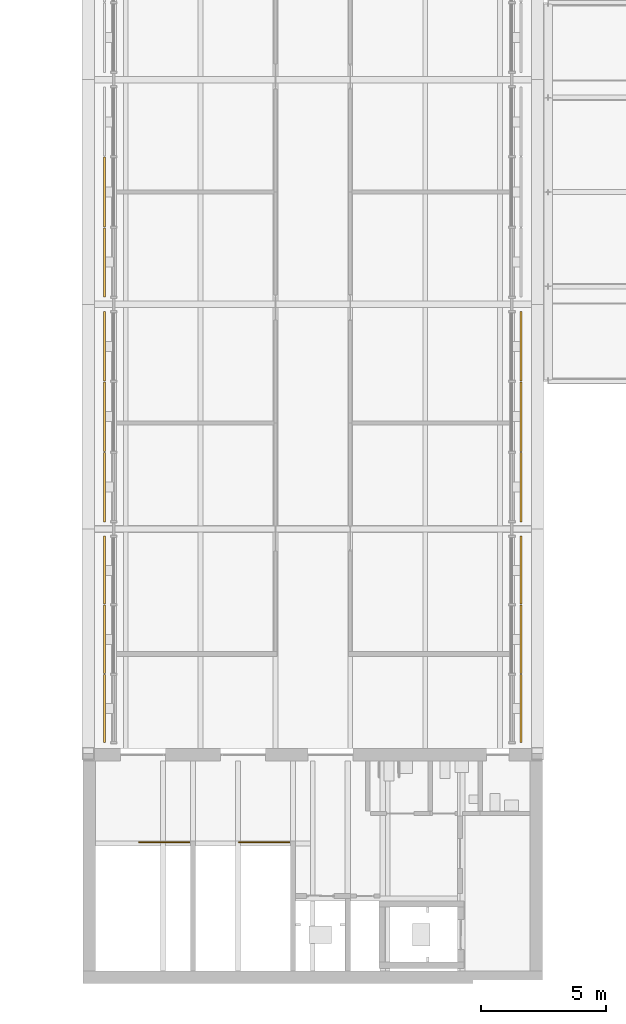
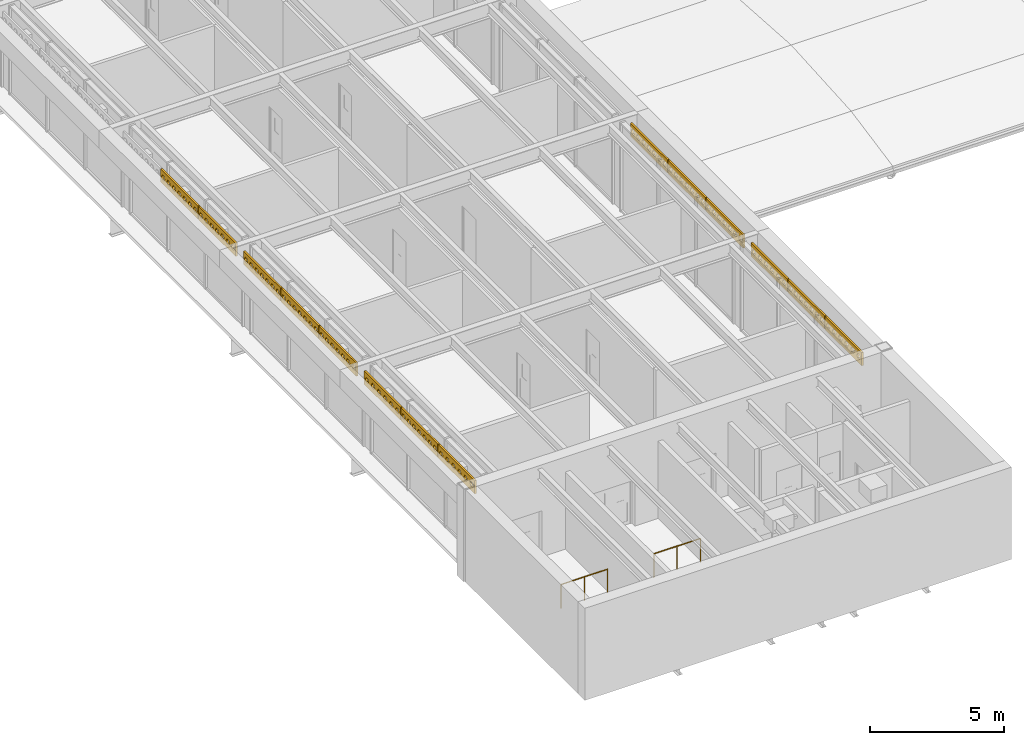
# One storey, part 37 of 43: 14 shading devices, 2 railings.
"""IFC4 building model written with IfcOpenShell, lengths in metres."""

from ifc_helpers import new_model, si_unit, direction, frame, origin, origin_2d, place, context, subcontext, project, spatial, polyline, circle, outline, extrude, material, layer, layer_set, type_object, element, save


model = new_model("IFC4")

# Units and contexts
model_context = context("Model", 3, precision=1e-05, world=origin(), true_north=direction((0.0, 1.0)))
body_context = subcontext(model_context, "Body", "Model", "MODEL_VIEW")
ifc_project = project(units=[si_unit("LENGTHUNIT", "METRE"), si_unit("AREAUNIT", "SQUARE_METRE"), si_unit("VOLUMEUNIT", "CUBIC_METRE"), si_unit("PLANEANGLEUNIT", "RADIAN"), si_unit("MASSUNIT", "GRAM", prefix="KILO")], contexts=[model_context])

# Site, building, storey
site_placement = place(None, origin())
site = spatial("IfcSite", under=ifc_project, at=site_placement, CompositionType="ELEMENT")
building_placement = place(site_placement, origin())
building = spatial("IfcBuilding", under=site, at=building_placement, Name="Baradari Gate Terminus", CompositionType="ELEMENT")
storey_placement = place(building_placement, frame((0.0, 0.0, 20.10009765625)))
storey = spatial("IfcBuildingStorey", under=building, at=storey_placement, Name="L04", CompositionType="ELEMENT", Elevation=20.10009765625)

# Railings
ifc_material_1 = material(Name="Stainless steel 1.4301", Category="steel")
railing_type = type_object("IfcRailingType", Name="Guard GR-1 1100", PredefinedType="GUARDRAIL", material=ifc_material_1)
for number, where, name in (
    (1, (76.050048828125, 32.449951171875, 0.0), "Stair guard ST-GS1 at L04 top landing"),
    (2, (80.050048828125, 32.449951171875, 0.0), "Stair guard ST-GS2 at L04 top landing"),
):
    element("IfcRailing", number, at=place(storey_placement, frame(where)), inside=storey, type_object=railing_type, Name=name, PredefinedType="GUARDRAIL", context=body_context, shape_type="SweptSolid", body=[
        extrude(circle(Radius=0.02392578125, at=origin_2d()), frame((0.0, 0.0, 1.076171875), z_axis=(-1.0, 0.0, 0.0), x_axis=(0.0, -1.0, 0.0)), (0.0, 0.0, 1.0), 2.010009765625),
        extrude(circle(Radius=0.02099609375, at=origin_2d()), origin(), (0.0, 0.0, 1.0), 1.052001953125),
        extrude(circle(Radius=0.02099609375, at=origin_2d()), frame((-1.0048828125, 0.0, 0.0)), (0.0, 0.0, 1.0), 1.052001953125),
        extrude(circle(Radius=0.02099609375, at=origin_2d()), frame((-2.010009765625, 0.0, 0.0)), (0.0, 0.0, 1.0), 1.052001953125),
    ])

# Shading devices
ifc_material_2 = material(Name="Concrete C50/60 precast", Category="concrete")
ifc_layer = layer(ifc_material_2, 0.080078125)
ifc_layer_set = layer_set([ifc_layer], Name="Concrete C50/60 precast")
shading_device_type = type_object("IfcShadingDeviceType", Name="Jali screen panel JS-3 80", PredefinedType="SHUTTER", material=ifc_layer_set)
shading_device_1_placement = place(storey_placement, frame((72.659912109375, 36.43994140625, 3.27978515625), z_axis=(0.0, 0.0, 1.0), x_axis=(0.0, 1.0, 0.0)))
element("IfcShadingDevice", 3, at=shading_device_1_placement, inside=storey, type_object=shading_device_type, Name="Jali screen panel JS-1 L04/GW1 bay 1", PredefinedType="SHUTTER", context=body_context, shape_type="SweptSolid", body=[
    extrude(outline(polyline([(0.0, 0.0), (2.723388671875, 0.0), (2.723388671875, 0.60009765625), (0.0, 0.60009765625), (0.0, 0.0)]), holes=[polyline([(0.35693359375, 0.300048828125), (0.2919921875, 0.1875), (0.161865234375, 0.1875), (0.096923828125, 0.300048828125), (0.161865234375, 0.41259765625), (0.2919921875, 0.41259765625), (0.35693359375, 0.300048828125)]), polyline([(0.810791015625, 0.300048828125), (0.745849609375, 0.1875), (0.61572265625, 0.1875), (0.55078125, 0.300048828125), (0.61572265625, 0.41259765625), (0.745849609375, 0.41259765625), (0.810791015625, 0.300048828125)]), polyline([(1.2646484375, 0.300048828125), (1.19970703125, 0.1875), (1.06982421875, 0.1875), (1.004638671875, 0.300048828125), (1.06982421875, 0.41259765625), (1.19970703125, 0.41259765625), (1.2646484375, 0.300048828125)]), polyline([(1.718505859375, 0.300048828125), (1.653564453125, 0.1875), (1.523681640625, 0.1875), (1.45849609375, 0.300048828125), (1.523681640625, 0.41259765625), (1.653564453125, 0.41259765625), (1.718505859375, 0.300048828125)]), polyline([(2.172607421875, 0.300048828125), (2.107421875, 0.1875), (1.9775390625, 0.1875), (1.91259765625, 0.300048828125), (1.9775390625, 0.41259765625), (2.107421875, 0.41259765625), (2.172607421875, 0.300048828125)]), polyline([(2.62646484375, 0.300048828125), (2.561279296875, 0.1875), (2.431396484375, 0.1875), (2.366455078125, 0.300048828125), (2.431396484375, 0.41259765625), (2.561279296875, 0.41259765625), (2.62646484375, 0.300048828125)])]), frame((0.0, 0.0400390625, 0.0), z_axis=(0.0, -1.0, 0.0), x_axis=(1.0, 0.0, 0.0)), (0.0, 0.0, 1.0), 0.080078125),
])
shading_device_2_placement = place(storey_placement, frame((72.659912109375, 39.203369140625, 3.27978515625), z_axis=(0.0, 0.0, 1.0), x_axis=(0.0, 1.0, 0.0)))
element("IfcShadingDevice", 4, at=shading_device_2_placement, inside=storey, type_object=shading_device_type, Name="Jali screen panel JS-1 L04/GW1 bay 2", PredefinedType="SHUTTER", context=body_context, shape_type="SweptSolid", body=[
    extrude(outline(polyline([(0.0, 0.0), (2.743408203125, 0.0), (2.743408203125, 0.60009765625), (0.0, 0.60009765625), (0.0, 0.0)]), holes=[polyline([(0.325927734375, 0.300048828125), (0.260986328125, 0.1875), (0.130859375, 0.1875), (0.06591796875, 0.300048828125), (0.130859375, 0.41259765625), (0.260986328125, 0.41259765625), (0.325927734375, 0.300048828125)]), polyline([(0.7177734375, 0.300048828125), (0.65283203125, 0.1875), (0.52294921875, 0.1875), (0.457763671875, 0.300048828125), (0.52294921875, 0.41259765625), (0.65283203125, 0.41259765625), (0.7177734375, 0.300048828125)]), polyline([(1.10986328125, 0.300048828125), (1.044677734375, 0.1875), (0.914794921875, 0.1875), (0.849853515625, 0.300048828125), (0.914794921875, 0.41259765625), (1.044677734375, 0.41259765625), (1.10986328125, 0.300048828125)]), polyline([(1.501708984375, 0.300048828125), (1.436767578125, 0.1875), (1.306640625, 0.1875), (1.24169921875, 0.300048828125), (1.306640625, 0.41259765625), (1.436767578125, 0.41259765625), (1.501708984375, 0.300048828125)]), polyline([(1.8935546875, 0.300048828125), (1.82861328125, 0.1875), (1.698486328125, 0.1875), (1.633544921875, 0.300048828125), (1.698486328125, 0.41259765625), (1.82861328125, 0.41259765625), (1.8935546875, 0.300048828125)]), polyline([(2.285400390625, 0.300048828125), (2.220458984375, 0.1875), (2.090576171875, 0.1875), (2.025390625, 0.300048828125), (2.090576171875, 0.41259765625), (2.220458984375, 0.41259765625), (2.285400390625, 0.300048828125)]), polyline([(2.677490234375, 0.300048828125), (2.6123046875, 0.1875), (2.482421875, 0.1875), (2.41748046875, 0.300048828125), (2.482421875, 0.41259765625), (2.6123046875, 0.41259765625), (2.677490234375, 0.300048828125)])]), frame((0.0, 0.0400390625, 0.0), z_axis=(0.0, -1.0, 0.0), x_axis=(1.0, 0.0, 0.0)), (0.0, 0.0, 1.0), 0.080078125),
])
shading_device_3_placement = place(storey_placement, frame((72.659912109375, 41.986572265625, 3.27978515625), z_axis=(0.0, 0.0, 1.0), x_axis=(0.0, 1.0, 0.0)))
element("IfcShadingDevice", 5, at=shading_device_3_placement, inside=storey, type_object=shading_device_type, Name="Jali screen panel JS-1 L04/GW1 bay 3", PredefinedType="SHUTTER", context=body_context, shape_type="SweptSolid", body=[
    extrude(outline(polyline([(0.0, 0.0), (2.723388671875, 0.0), (2.723388671875, 0.60009765625), (0.0, 0.60009765625), (0.0, 0.0)]), holes=[polyline([(0.35693359375, 0.300048828125), (0.2919921875, 0.1875), (0.161865234375, 0.1875), (0.096923828125, 0.300048828125), (0.161865234375, 0.41259765625), (0.2919921875, 0.41259765625), (0.35693359375, 0.300048828125)]), polyline([(0.810791015625, 0.300048828125), (0.745849609375, 0.1875), (0.61572265625, 0.1875), (0.55078125, 0.300048828125), (0.61572265625, 0.41259765625), (0.745849609375, 0.41259765625), (0.810791015625, 0.300048828125)]), polyline([(1.2646484375, 0.300048828125), (1.19970703125, 0.1875), (1.06982421875, 0.1875), (1.004638671875, 0.300048828125), (1.06982421875, 0.41259765625), (1.19970703125, 0.41259765625), (1.2646484375, 0.300048828125)]), polyline([(1.718505859375, 0.300048828125), (1.653564453125, 0.1875), (1.523681640625, 0.1875), (1.45849609375, 0.300048828125), (1.523681640625, 0.41259765625), (1.653564453125, 0.41259765625), (1.718505859375, 0.300048828125)]), polyline([(2.172607421875, 0.300048828125), (2.107421875, 0.1875), (1.9775390625, 0.1875), (1.91259765625, 0.300048828125), (1.9775390625, 0.41259765625), (2.107421875, 0.41259765625), (2.172607421875, 0.300048828125)]), polyline([(2.62646484375, 0.300048828125), (2.561279296875, 0.1875), (2.431396484375, 0.1875), (2.366455078125, 0.300048828125), (2.431396484375, 0.41259765625), (2.561279296875, 0.41259765625), (2.62646484375, 0.300048828125)])]), frame((0.0, 0.0400390625, 0.0), z_axis=(0.0, -1.0, 0.0), x_axis=(1.0, 0.0, 0.0)), (0.0, 0.0, 1.0), 0.080078125),
])
shading_device_4_placement = place(storey_placement, frame((72.659912109375, 45.2900390625, 3.27978515625), z_axis=(0.0, 0.0, 1.0), x_axis=(0.0, 1.0, 0.0)))
element("IfcShadingDevice", 6, at=shading_device_4_placement, inside=storey, type_object=shading_device_type, Name="Jali screen panel JS-1 L04/GW2 bay 1", PredefinedType="SHUTTER", context=body_context, shape_type="SweptSolid", body=[
    extrude(outline(polyline([(0.0, 0.0), (2.773193359375, 0.0), (2.773193359375, 0.60009765625), (0.0, 0.60009765625), (0.0, 0.0)]), holes=[polyline([(0.328125, 0.300048828125), (0.26318359375, 0.1875), (0.133056640625, 0.1875), (0.068115234375, 0.300048828125), (0.133056640625, 0.41259765625), (0.26318359375, 0.41259765625), (0.328125, 0.300048828125)]), polyline([(0.724365234375, 0.300048828125), (0.6591796875, 0.1875), (0.529296875, 0.1875), (0.46435546875, 0.300048828125), (0.529296875, 0.41259765625), (0.6591796875, 0.41259765625), (0.724365234375, 0.300048828125)]), polyline([(1.120361328125, 0.300048828125), (1.055419921875, 0.1875), (0.925537109375, 0.1875), (0.860595703125, 0.300048828125), (0.925537109375, 0.41259765625), (1.055419921875, 0.41259765625), (1.120361328125, 0.300048828125)]), polyline([(1.5166015625, 0.300048828125), (1.45166015625, 0.1875), (1.32177734375, 0.1875), (1.256591796875, 0.300048828125), (1.32177734375, 0.41259765625), (1.45166015625, 0.41259765625), (1.5166015625, 0.300048828125)]), polyline([(1.912841796875, 0.300048828125), (1.847900390625, 0.1875), (1.7177734375, 0.1875), (1.65283203125, 0.300048828125), (1.7177734375, 0.41259765625), (1.847900390625, 0.41259765625), (1.912841796875, 0.300048828125)]), polyline([(2.30908203125, 0.300048828125), (2.244140625, 0.1875), (2.114013671875, 0.1875), (2.049072265625, 0.300048828125), (2.114013671875, 0.41259765625), (2.244140625, 0.41259765625), (2.30908203125, 0.300048828125)]), polyline([(2.705322265625, 0.300048828125), (2.64013671875, 0.1875), (2.51025390625, 0.1875), (2.4453125, 0.300048828125), (2.51025390625, 0.41259765625), (2.64013671875, 0.41259765625), (2.705322265625, 0.300048828125)])]), frame((0.0, 0.0400390625, 0.0), z_axis=(0.0, -1.0, 0.0), x_axis=(1.0, 0.0, 0.0)), (0.0, 0.0, 1.0), 0.080078125),
])
shading_device_5_placement = place(storey_placement, frame((72.659912109375, 48.103271484375, 3.27978515625), z_axis=(0.0, 0.0, 1.0), x_axis=(0.0, 1.0, 0.0)))
element("IfcShadingDevice", 7, at=shading_device_5_placement, inside=storey, type_object=shading_device_type, Name="Jali screen panel JS-1 L04/GW2 bay 2", PredefinedType="SHUTTER", context=body_context, shape_type="SweptSolid", body=[
    extrude(outline(polyline([(0.0, 0.0), (2.79345703125, 0.0), (2.79345703125, 0.60009765625), (0.0, 0.60009765625), (0.0, 0.0)]), holes=[polyline([(0.32958984375, 0.300048828125), (0.264404296875, 0.1875), (0.134521484375, 0.1875), (0.069580078125, 0.300048828125), (0.134521484375, 0.41259765625), (0.264404296875, 0.41259765625), (0.32958984375, 0.300048828125)]), polyline([(0.728515625, 0.300048828125), (0.66357421875, 0.1875), (0.53369140625, 0.1875), (0.468505859375, 0.300048828125), (0.53369140625, 0.41259765625), (0.66357421875, 0.41259765625), (0.728515625, 0.300048828125)]), polyline([(1.127685546875, 0.300048828125), (1.0625, 0.1875), (0.9326171875, 0.1875), (0.86767578125, 0.300048828125), (0.9326171875, 0.41259765625), (1.0625, 0.41259765625), (1.127685546875, 0.300048828125)]), polyline([(1.526611328125, 0.300048828125), (1.461669921875, 0.1875), (1.331787109375, 0.1875), (1.2666015625, 0.300048828125), (1.331787109375, 0.41259765625), (1.461669921875, 0.41259765625), (1.526611328125, 0.300048828125)]), polyline([(1.92578125, 0.300048828125), (1.860595703125, 0.1875), (1.730712890625, 0.1875), (1.665771484375, 0.300048828125), (1.730712890625, 0.41259765625), (1.860595703125, 0.41259765625), (1.92578125, 0.300048828125)]), polyline([(2.32470703125, 0.300048828125), (2.259765625, 0.1875), (2.1298828125, 0.1875), (2.064697265625, 0.300048828125), (2.1298828125, 0.41259765625), (2.259765625, 0.41259765625), (2.32470703125, 0.300048828125)]), polyline([(2.723876953125, 0.300048828125), (2.65869140625, 0.1875), (2.52880859375, 0.1875), (2.4638671875, 0.300048828125), (2.52880859375, 0.41259765625), (2.65869140625, 0.41259765625), (2.723876953125, 0.300048828125)])]), frame((0.0, 0.0400390625, 0.0), z_axis=(0.0, -1.0, 0.0), x_axis=(1.0, 0.0, 0.0)), (0.0, 0.0, 1.0), 0.080078125),
])
shading_device_6_placement = place(storey_placement, frame((72.659912109375, 50.936767578125, 3.27978515625), z_axis=(0.0, 0.0, 1.0), x_axis=(0.0, 1.0, 0.0)))
element("IfcShadingDevice", 8, at=shading_device_6_placement, inside=storey, type_object=shading_device_type, Name="Jali screen panel JS-1 L04/GW2 bay 3", PredefinedType="SHUTTER", context=body_context, shape_type="SweptSolid", body=[
    extrude(outline(polyline([(0.0, 0.0), (2.773193359375, 0.0), (2.773193359375, 0.60009765625), (0.0, 0.60009765625), (0.0, 0.0)]), holes=[polyline([(0.328125, 0.300048828125), (0.26318359375, 0.1875), (0.133056640625, 0.1875), (0.068115234375, 0.300048828125), (0.133056640625, 0.41259765625), (0.26318359375, 0.41259765625), (0.328125, 0.300048828125)]), polyline([(0.724365234375, 0.300048828125), (0.6591796875, 0.1875), (0.529296875, 0.1875), (0.46435546875, 0.300048828125), (0.529296875, 0.41259765625), (0.6591796875, 0.41259765625), (0.724365234375, 0.300048828125)]), polyline([(1.120361328125, 0.300048828125), (1.055419921875, 0.1875), (0.925537109375, 0.1875), (0.860595703125, 0.300048828125), (0.925537109375, 0.41259765625), (1.055419921875, 0.41259765625), (1.120361328125, 0.300048828125)]), polyline([(1.5166015625, 0.300048828125), (1.45166015625, 0.1875), (1.32177734375, 0.1875), (1.256591796875, 0.300048828125), (1.32177734375, 0.41259765625), (1.45166015625, 0.41259765625), (1.5166015625, 0.300048828125)]), polyline([(1.912841796875, 0.300048828125), (1.847900390625, 0.1875), (1.7177734375, 0.1875), (1.65283203125, 0.300048828125), (1.7177734375, 0.41259765625), (1.847900390625, 0.41259765625), (1.912841796875, 0.300048828125)]), polyline([(2.30908203125, 0.300048828125), (2.244140625, 0.1875), (2.114013671875, 0.1875), (2.049072265625, 0.300048828125), (2.114013671875, 0.41259765625), (2.244140625, 0.41259765625), (2.30908203125, 0.300048828125)]), polyline([(2.705322265625, 0.300048828125), (2.64013671875, 0.1875), (2.51025390625, 0.1875), (2.4453125, 0.300048828125), (2.51025390625, 0.41259765625), (2.64013671875, 0.41259765625), (2.705322265625, 0.300048828125)])]), frame((0.0, 0.0400390625, 0.0), z_axis=(0.0, -1.0, 0.0), x_axis=(1.0, 0.0, 0.0)), (0.0, 0.0, 1.0), 0.080078125),
])
shading_device_7_placement = place(storey_placement, frame((72.659912109375, 54.2900390625, 3.27978515625), z_axis=(0.0, 0.0, 1.0), x_axis=(0.0, 1.0, 0.0)))
element("IfcShadingDevice", 9, at=shading_device_7_placement, inside=storey, type_object=shading_device_type, Name="Jali screen panel JS-1 L04/GW3 bay 1", PredefinedType="SHUTTER", context=body_context, shape_type="SweptSolid", body=[
    extrude(outline(polyline([(0.0, 0.0), (2.773193359375, 0.0), (2.773193359375, 0.60009765625), (0.0, 0.60009765625), (0.0, 0.0)]), holes=[polyline([(0.328125, 0.300048828125), (0.26318359375, 0.1875), (0.133056640625, 0.1875), (0.068115234375, 0.300048828125), (0.133056640625, 0.41259765625), (0.26318359375, 0.41259765625), (0.328125, 0.300048828125)]), polyline([(0.724365234375, 0.300048828125), (0.6591796875, 0.1875), (0.529296875, 0.1875), (0.46435546875, 0.300048828125), (0.529296875, 0.41259765625), (0.6591796875, 0.41259765625), (0.724365234375, 0.300048828125)]), polyline([(1.120361328125, 0.300048828125), (1.055419921875, 0.1875), (0.925537109375, 0.1875), (0.860595703125, 0.300048828125), (0.925537109375, 0.41259765625), (1.055419921875, 0.41259765625), (1.120361328125, 0.300048828125)]), polyline([(1.5166015625, 0.300048828125), (1.45166015625, 0.1875), (1.32177734375, 0.1875), (1.256591796875, 0.300048828125), (1.32177734375, 0.41259765625), (1.45166015625, 0.41259765625), (1.5166015625, 0.300048828125)]), polyline([(1.912841796875, 0.300048828125), (1.847900390625, 0.1875), (1.7177734375, 0.1875), (1.65283203125, 0.300048828125), (1.7177734375, 0.41259765625), (1.847900390625, 0.41259765625), (1.912841796875, 0.300048828125)]), polyline([(2.30908203125, 0.300048828125), (2.244140625, 0.1875), (2.114013671875, 0.1875), (2.049072265625, 0.300048828125), (2.114013671875, 0.41259765625), (2.244140625, 0.41259765625), (2.30908203125, 0.300048828125)]), polyline([(2.705322265625, 0.300048828125), (2.64013671875, 0.1875), (2.51025390625, 0.1875), (2.4453125, 0.300048828125), (2.51025390625, 0.41259765625), (2.64013671875, 0.41259765625), (2.705322265625, 0.300048828125)])]), frame((0.0, 0.0400390625, 0.0), z_axis=(0.0, -1.0, 0.0), x_axis=(1.0, 0.0, 0.0)), (0.0, 0.0, 1.0), 0.080078125),
])
shading_device_8_placement = place(storey_placement, frame((72.659912109375, 57.103271484375, 3.27978515625), z_axis=(0.0, 0.0, 1.0), x_axis=(0.0, 1.0, 0.0)))
element("IfcShadingDevice", 10, at=shading_device_8_placement, inside=storey, type_object=shading_device_type, Name="Jali screen panel JS-1 L04/GW3 bay 2", PredefinedType="SHUTTER", context=body_context, shape_type="SweptSolid", body=[
    extrude(outline(polyline([(0.0, 0.0), (2.79345703125, 0.0), (2.79345703125, 0.60009765625), (0.0, 0.60009765625), (0.0, 0.0)]), holes=[polyline([(0.32958984375, 0.300048828125), (0.264404296875, 0.1875), (0.134521484375, 0.1875), (0.069580078125, 0.300048828125), (0.134521484375, 0.41259765625), (0.264404296875, 0.41259765625), (0.32958984375, 0.300048828125)]), polyline([(0.728515625, 0.300048828125), (0.66357421875, 0.1875), (0.53369140625, 0.1875), (0.468505859375, 0.300048828125), (0.53369140625, 0.41259765625), (0.66357421875, 0.41259765625), (0.728515625, 0.300048828125)]), polyline([(1.127685546875, 0.300048828125), (1.0625, 0.1875), (0.9326171875, 0.1875), (0.86767578125, 0.300048828125), (0.9326171875, 0.41259765625), (1.0625, 0.41259765625), (1.127685546875, 0.300048828125)]), polyline([(1.526611328125, 0.300048828125), (1.461669921875, 0.1875), (1.331787109375, 0.1875), (1.2666015625, 0.300048828125), (1.331787109375, 0.41259765625), (1.461669921875, 0.41259765625), (1.526611328125, 0.300048828125)]), polyline([(1.92578125, 0.300048828125), (1.860595703125, 0.1875), (1.730712890625, 0.1875), (1.665771484375, 0.300048828125), (1.730712890625, 0.41259765625), (1.860595703125, 0.41259765625), (1.92578125, 0.300048828125)]), polyline([(2.32470703125, 0.300048828125), (2.259765625, 0.1875), (2.1298828125, 0.1875), (2.064697265625, 0.300048828125), (2.1298828125, 0.41259765625), (2.259765625, 0.41259765625), (2.32470703125, 0.300048828125)]), polyline([(2.723876953125, 0.300048828125), (2.65869140625, 0.1875), (2.52880859375, 0.1875), (2.4638671875, 0.300048828125), (2.52880859375, 0.41259765625), (2.65869140625, 0.41259765625), (2.723876953125, 0.300048828125)])]), frame((0.0, 0.0400390625, 0.0), z_axis=(0.0, -1.0, 0.0), x_axis=(1.0, 0.0, 0.0)), (0.0, 0.0, 1.0), 0.080078125),
])
shading_device_9_placement = place(storey_placement, frame((89.340087890625, 36.43994140625, 3.27978515625), z_axis=(0.0, 0.0, 1.0), x_axis=(0.0, 1.0, 0.0)))
element("IfcShadingDevice", 11, at=shading_device_9_placement, inside=storey, type_object=shading_device_type, Name="Jali screen panel JS-1 L04/GE1 bay 1", PredefinedType="SHUTTER", context=body_context, shape_type="SweptSolid", body=[
    extrude(outline(polyline([(0.0, 0.0), (2.723388671875, 0.0), (2.723388671875, 0.60009765625), (0.0, 0.60009765625), (0.0, 0.0)]), holes=[polyline([(0.35693359375, 0.300048828125), (0.2919921875, 0.1875), (0.161865234375, 0.1875), (0.096923828125, 0.300048828125), (0.161865234375, 0.41259765625), (0.2919921875, 0.41259765625), (0.35693359375, 0.300048828125)]), polyline([(0.810791015625, 0.300048828125), (0.745849609375, 0.1875), (0.61572265625, 0.1875), (0.55078125, 0.300048828125), (0.61572265625, 0.41259765625), (0.745849609375, 0.41259765625), (0.810791015625, 0.300048828125)]), polyline([(1.2646484375, 0.300048828125), (1.19970703125, 0.1875), (1.06982421875, 0.1875), (1.004638671875, 0.300048828125), (1.06982421875, 0.41259765625), (1.19970703125, 0.41259765625), (1.2646484375, 0.300048828125)]), polyline([(1.718505859375, 0.300048828125), (1.653564453125, 0.1875), (1.523681640625, 0.1875), (1.45849609375, 0.300048828125), (1.523681640625, 0.41259765625), (1.653564453125, 0.41259765625), (1.718505859375, 0.300048828125)]), polyline([(2.172607421875, 0.300048828125), (2.107421875, 0.1875), (1.9775390625, 0.1875), (1.91259765625, 0.300048828125), (1.9775390625, 0.41259765625), (2.107421875, 0.41259765625), (2.172607421875, 0.300048828125)]), polyline([(2.62646484375, 0.300048828125), (2.561279296875, 0.1875), (2.431396484375, 0.1875), (2.366455078125, 0.300048828125), (2.431396484375, 0.41259765625), (2.561279296875, 0.41259765625), (2.62646484375, 0.300048828125)])]), frame((0.0, 0.0400390625, 0.0), z_axis=(0.0, -1.0, 0.0), x_axis=(1.0, 0.0, 0.0)), (0.0, 0.0, 1.0), 0.080078125),
])
shading_device_10_placement = place(storey_placement, frame((89.340087890625, 39.203369140625, 3.27978515625), z_axis=(0.0, 0.0, 1.0), x_axis=(0.0, 1.0, 0.0)))
element("IfcShadingDevice", 12, at=shading_device_10_placement, inside=storey, type_object=shading_device_type, Name="Jali screen panel JS-1 L04/GE1 bay 2", PredefinedType="SHUTTER", context=body_context, shape_type="SweptSolid", body=[
    extrude(outline(polyline([(0.0, 0.0), (2.743408203125, 0.0), (2.743408203125, 0.60009765625), (0.0, 0.60009765625), (0.0, 0.0)]), holes=[polyline([(0.325927734375, 0.300048828125), (0.260986328125, 0.1875), (0.130859375, 0.1875), (0.06591796875, 0.300048828125), (0.130859375, 0.41259765625), (0.260986328125, 0.41259765625), (0.325927734375, 0.300048828125)]), polyline([(0.7177734375, 0.300048828125), (0.65283203125, 0.1875), (0.52294921875, 0.1875), (0.457763671875, 0.300048828125), (0.52294921875, 0.41259765625), (0.65283203125, 0.41259765625), (0.7177734375, 0.300048828125)]), polyline([(1.10986328125, 0.300048828125), (1.044677734375, 0.1875), (0.914794921875, 0.1875), (0.849853515625, 0.300048828125), (0.914794921875, 0.41259765625), (1.044677734375, 0.41259765625), (1.10986328125, 0.300048828125)]), polyline([(1.501708984375, 0.300048828125), (1.436767578125, 0.1875), (1.306640625, 0.1875), (1.24169921875, 0.300048828125), (1.306640625, 0.41259765625), (1.436767578125, 0.41259765625), (1.501708984375, 0.300048828125)]), polyline([(1.8935546875, 0.300048828125), (1.82861328125, 0.1875), (1.698486328125, 0.1875), (1.633544921875, 0.300048828125), (1.698486328125, 0.41259765625), (1.82861328125, 0.41259765625), (1.8935546875, 0.300048828125)]), polyline([(2.285400390625, 0.300048828125), (2.220458984375, 0.1875), (2.090576171875, 0.1875), (2.025390625, 0.300048828125), (2.090576171875, 0.41259765625), (2.220458984375, 0.41259765625), (2.285400390625, 0.300048828125)]), polyline([(2.677490234375, 0.300048828125), (2.6123046875, 0.1875), (2.482421875, 0.1875), (2.41748046875, 0.300048828125), (2.482421875, 0.41259765625), (2.6123046875, 0.41259765625), (2.677490234375, 0.300048828125)])]), frame((0.0, 0.0400390625, 0.0), z_axis=(0.0, -1.0, 0.0), x_axis=(1.0, 0.0, 0.0)), (0.0, 0.0, 1.0), 0.080078125),
])
shading_device_11_placement = place(storey_placement, frame((89.340087890625, 41.986572265625, 3.27978515625), z_axis=(0.0, 0.0, 1.0), x_axis=(0.0, 1.0, 0.0)))
element("IfcShadingDevice", 13, at=shading_device_11_placement, inside=storey, type_object=shading_device_type, Name="Jali screen panel JS-1 L04/GE1 bay 3", PredefinedType="SHUTTER", context=body_context, shape_type="SweptSolid", body=[
    extrude(outline(polyline([(0.0, 0.0), (2.723388671875, 0.0), (2.723388671875, 0.60009765625), (0.0, 0.60009765625), (0.0, 0.0)]), holes=[polyline([(0.35693359375, 0.300048828125), (0.2919921875, 0.1875), (0.161865234375, 0.1875), (0.096923828125, 0.300048828125), (0.161865234375, 0.41259765625), (0.2919921875, 0.41259765625), (0.35693359375, 0.300048828125)]), polyline([(0.810791015625, 0.300048828125), (0.745849609375, 0.1875), (0.61572265625, 0.1875), (0.55078125, 0.300048828125), (0.61572265625, 0.41259765625), (0.745849609375, 0.41259765625), (0.810791015625, 0.300048828125)]), polyline([(1.2646484375, 0.300048828125), (1.19970703125, 0.1875), (1.06982421875, 0.1875), (1.004638671875, 0.300048828125), (1.06982421875, 0.41259765625), (1.19970703125, 0.41259765625), (1.2646484375, 0.300048828125)]), polyline([(1.718505859375, 0.300048828125), (1.653564453125, 0.1875), (1.523681640625, 0.1875), (1.45849609375, 0.300048828125), (1.523681640625, 0.41259765625), (1.653564453125, 0.41259765625), (1.718505859375, 0.300048828125)]), polyline([(2.172607421875, 0.300048828125), (2.107421875, 0.1875), (1.9775390625, 0.1875), (1.91259765625, 0.300048828125), (1.9775390625, 0.41259765625), (2.107421875, 0.41259765625), (2.172607421875, 0.300048828125)]), polyline([(2.62646484375, 0.300048828125), (2.561279296875, 0.1875), (2.431396484375, 0.1875), (2.366455078125, 0.300048828125), (2.431396484375, 0.41259765625), (2.561279296875, 0.41259765625), (2.62646484375, 0.300048828125)])]), frame((0.0, 0.0400390625, 0.0), z_axis=(0.0, -1.0, 0.0), x_axis=(1.0, 0.0, 0.0)), (0.0, 0.0, 1.0), 0.080078125),
])
shading_device_12_placement = place(storey_placement, frame((89.340087890625, 45.2900390625, 3.27978515625), z_axis=(0.0, 0.0, 1.0), x_axis=(0.0, 1.0, 0.0)))
element("IfcShadingDevice", 14, at=shading_device_12_placement, inside=storey, type_object=shading_device_type, Name="Jali screen panel JS-1 L04/GE2 bay 1", PredefinedType="SHUTTER", context=body_context, shape_type="SweptSolid", body=[
    extrude(outline(polyline([(0.0, 0.0), (2.773193359375, 0.0), (2.773193359375, 0.60009765625), (0.0, 0.60009765625), (0.0, 0.0)]), holes=[polyline([(0.328125, 0.300048828125), (0.26318359375, 0.1875), (0.133056640625, 0.1875), (0.068115234375, 0.300048828125), (0.133056640625, 0.41259765625), (0.26318359375, 0.41259765625), (0.328125, 0.300048828125)]), polyline([(0.724365234375, 0.300048828125), (0.6591796875, 0.1875), (0.529296875, 0.1875), (0.46435546875, 0.300048828125), (0.529296875, 0.41259765625), (0.6591796875, 0.41259765625), (0.724365234375, 0.300048828125)]), polyline([(1.120361328125, 0.300048828125), (1.055419921875, 0.1875), (0.925537109375, 0.1875), (0.860595703125, 0.300048828125), (0.925537109375, 0.41259765625), (1.055419921875, 0.41259765625), (1.120361328125, 0.300048828125)]), polyline([(1.5166015625, 0.300048828125), (1.45166015625, 0.1875), (1.32177734375, 0.1875), (1.256591796875, 0.300048828125), (1.32177734375, 0.41259765625), (1.45166015625, 0.41259765625), (1.5166015625, 0.300048828125)]), polyline([(1.912841796875, 0.300048828125), (1.847900390625, 0.1875), (1.7177734375, 0.1875), (1.65283203125, 0.300048828125), (1.7177734375, 0.41259765625), (1.847900390625, 0.41259765625), (1.912841796875, 0.300048828125)]), polyline([(2.30908203125, 0.300048828125), (2.244140625, 0.1875), (2.114013671875, 0.1875), (2.049072265625, 0.300048828125), (2.114013671875, 0.41259765625), (2.244140625, 0.41259765625), (2.30908203125, 0.300048828125)]), polyline([(2.705322265625, 0.300048828125), (2.64013671875, 0.1875), (2.51025390625, 0.1875), (2.4453125, 0.300048828125), (2.51025390625, 0.41259765625), (2.64013671875, 0.41259765625), (2.705322265625, 0.300048828125)])]), frame((0.0, 0.0400390625, 0.0), z_axis=(0.0, -1.0, 0.0), x_axis=(1.0, 0.0, 0.0)), (0.0, 0.0, 1.0), 0.080078125),
])
shading_device_13_placement = place(storey_placement, frame((89.340087890625, 48.103271484375, 3.27978515625), z_axis=(0.0, 0.0, 1.0), x_axis=(0.0, 1.0, 0.0)))
element("IfcShadingDevice", 15, at=shading_device_13_placement, inside=storey, type_object=shading_device_type, Name="Jali screen panel JS-1 L04/GE2 bay 2", PredefinedType="SHUTTER", context=body_context, shape_type="SweptSolid", body=[
    extrude(outline(polyline([(0.0, 0.0), (2.79345703125, 0.0), (2.79345703125, 0.60009765625), (0.0, 0.60009765625), (0.0, 0.0)]), holes=[polyline([(0.32958984375, 0.300048828125), (0.264404296875, 0.1875), (0.134521484375, 0.1875), (0.069580078125, 0.300048828125), (0.134521484375, 0.41259765625), (0.264404296875, 0.41259765625), (0.32958984375, 0.300048828125)]), polyline([(0.728515625, 0.300048828125), (0.66357421875, 0.1875), (0.53369140625, 0.1875), (0.468505859375, 0.300048828125), (0.53369140625, 0.41259765625), (0.66357421875, 0.41259765625), (0.728515625, 0.300048828125)]), polyline([(1.127685546875, 0.300048828125), (1.0625, 0.1875), (0.9326171875, 0.1875), (0.86767578125, 0.300048828125), (0.9326171875, 0.41259765625), (1.0625, 0.41259765625), (1.127685546875, 0.300048828125)]), polyline([(1.526611328125, 0.300048828125), (1.461669921875, 0.1875), (1.331787109375, 0.1875), (1.2666015625, 0.300048828125), (1.331787109375, 0.41259765625), (1.461669921875, 0.41259765625), (1.526611328125, 0.300048828125)]), polyline([(1.92578125, 0.300048828125), (1.860595703125, 0.1875), (1.730712890625, 0.1875), (1.665771484375, 0.300048828125), (1.730712890625, 0.41259765625), (1.860595703125, 0.41259765625), (1.92578125, 0.300048828125)]), polyline([(2.32470703125, 0.300048828125), (2.259765625, 0.1875), (2.1298828125, 0.1875), (2.064697265625, 0.300048828125), (2.1298828125, 0.41259765625), (2.259765625, 0.41259765625), (2.32470703125, 0.300048828125)]), polyline([(2.723876953125, 0.300048828125), (2.65869140625, 0.1875), (2.52880859375, 0.1875), (2.4638671875, 0.300048828125), (2.52880859375, 0.41259765625), (2.65869140625, 0.41259765625), (2.723876953125, 0.300048828125)])]), frame((0.0, 0.0400390625, 0.0), z_axis=(0.0, -1.0, 0.0), x_axis=(1.0, 0.0, 0.0)), (0.0, 0.0, 1.0), 0.080078125),
])
shading_device_14_placement = place(storey_placement, frame((89.340087890625, 50.936767578125, 3.27978515625), z_axis=(0.0, 0.0, 1.0), x_axis=(0.0, 1.0, 0.0)))
element("IfcShadingDevice", 16, at=shading_device_14_placement, inside=storey, type_object=shading_device_type, Name="Jali screen panel JS-1 L04/GE2 bay 3", PredefinedType="SHUTTER", context=body_context, shape_type="SweptSolid", body=[
    extrude(outline(polyline([(0.0, 0.0), (2.773193359375, 0.0), (2.773193359375, 0.60009765625), (0.0, 0.60009765625), (0.0, 0.0)]), holes=[polyline([(0.328125, 0.300048828125), (0.26318359375, 0.1875), (0.133056640625, 0.1875), (0.068115234375, 0.300048828125), (0.133056640625, 0.41259765625), (0.26318359375, 0.41259765625), (0.328125, 0.300048828125)]), polyline([(0.724365234375, 0.300048828125), (0.6591796875, 0.1875), (0.529296875, 0.1875), (0.46435546875, 0.300048828125), (0.529296875, 0.41259765625), (0.6591796875, 0.41259765625), (0.724365234375, 0.300048828125)]), polyline([(1.120361328125, 0.300048828125), (1.055419921875, 0.1875), (0.925537109375, 0.1875), (0.860595703125, 0.300048828125), (0.925537109375, 0.41259765625), (1.055419921875, 0.41259765625), (1.120361328125, 0.300048828125)]), polyline([(1.5166015625, 0.300048828125), (1.45166015625, 0.1875), (1.32177734375, 0.1875), (1.256591796875, 0.300048828125), (1.32177734375, 0.41259765625), (1.45166015625, 0.41259765625), (1.5166015625, 0.300048828125)]), polyline([(1.912841796875, 0.300048828125), (1.847900390625, 0.1875), (1.7177734375, 0.1875), (1.65283203125, 0.300048828125), (1.7177734375, 0.41259765625), (1.847900390625, 0.41259765625), (1.912841796875, 0.300048828125)]), polyline([(2.30908203125, 0.300048828125), (2.244140625, 0.1875), (2.114013671875, 0.1875), (2.049072265625, 0.300048828125), (2.114013671875, 0.41259765625), (2.244140625, 0.41259765625), (2.30908203125, 0.300048828125)]), polyline([(2.705322265625, 0.300048828125), (2.64013671875, 0.1875), (2.51025390625, 0.1875), (2.4453125, 0.300048828125), (2.51025390625, 0.41259765625), (2.64013671875, 0.41259765625), (2.705322265625, 0.300048828125)])]), frame((0.0, 0.0400390625, 0.0), z_axis=(0.0, -1.0, 0.0), x_axis=(1.0, 0.0, 0.0)), (0.0, 0.0, 1.0), 0.080078125),
])

save(model, "model.ifc")
